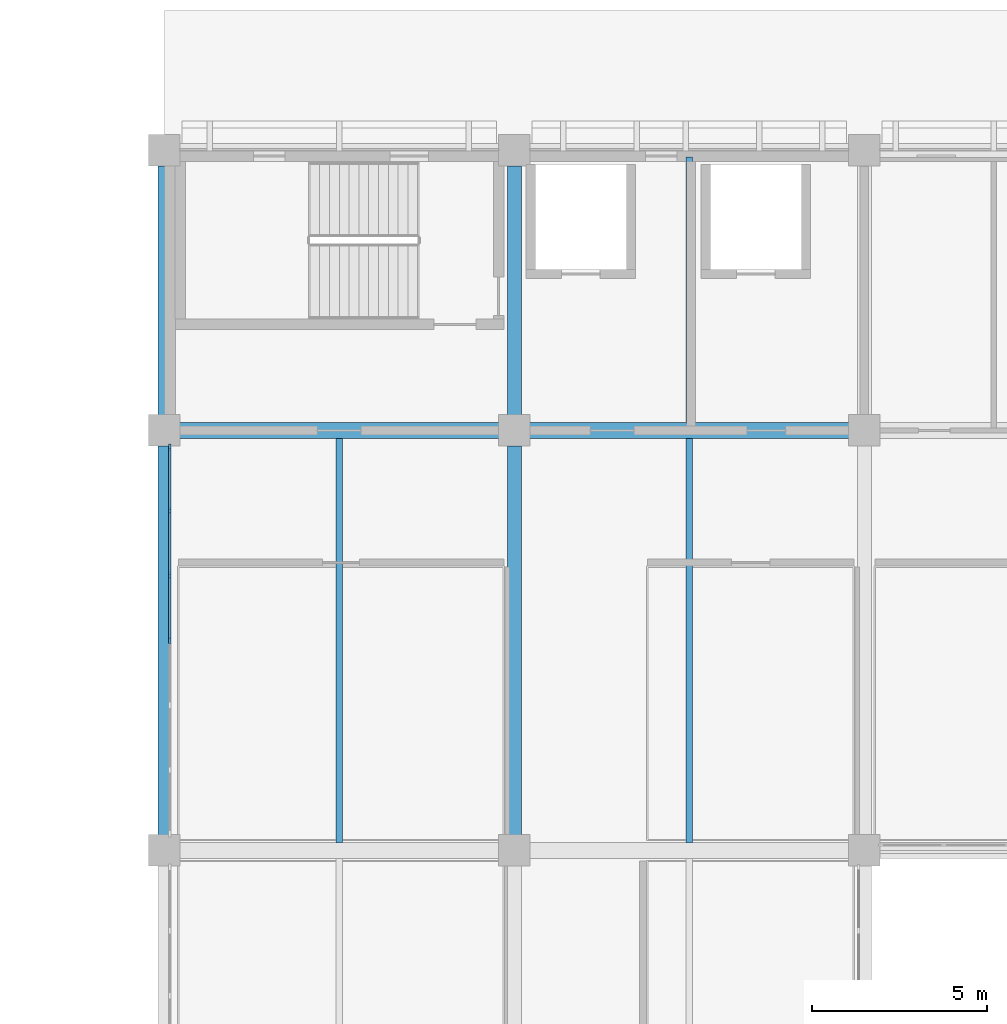
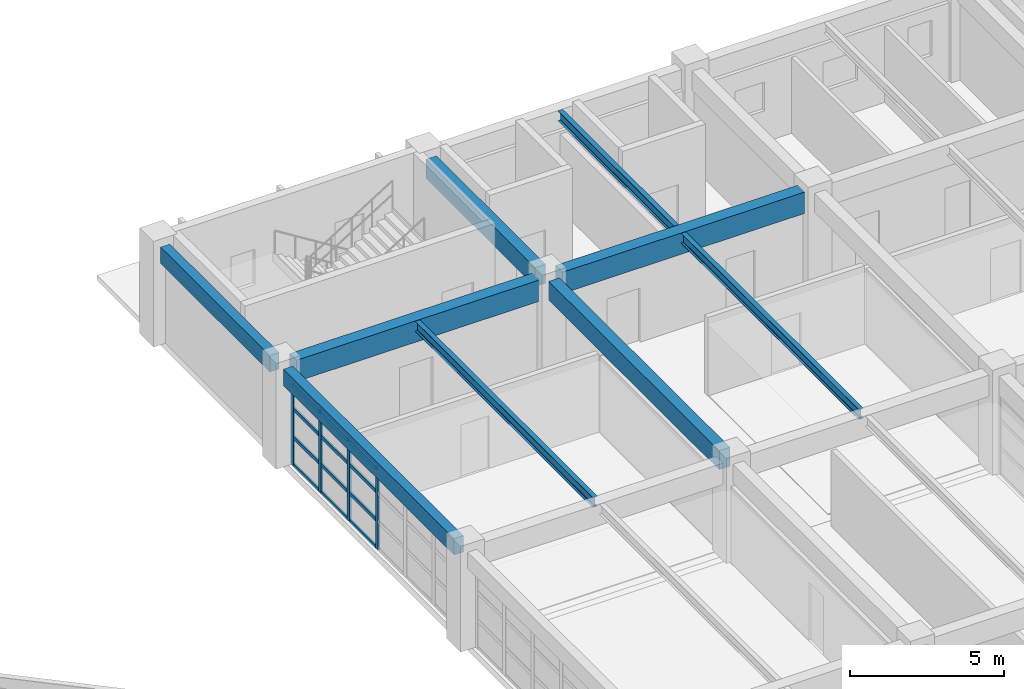
# One storey, part 49 of 100: 16 members, 9 beams, 1 element without a shape of its own.
"""IFC4 building model written with IfcOpenShell, lengths in metres."""

import ifcopenshell
import ifcopenshell.guid

model = None  # the IFC model being written
_history = None  # IfcOwnerHistory: only IFC2X3 demands one
_inside = {}  # id of a spatial element -> (the spatial element, [elements in it])
_under = {}  # id of a project, library or spatial element -> (it, [spatial elements below it])
_declared = {}  # id of a project -> (the project, [libraries it declares])
_typed = {}  # id of a type object -> (the type object, [elements of that type])
_made_of = {}  # id of a material, layer set ... -> (it, [elements and type objects made of it])


def new_model(schema):
    """Start an empty IFC model of exactly this schema.

    Asked for "IFC4X3", IfcOpenShell would pick the latest addendum, in which some entities
    have other attributes; the version numbers below select the first issue.
    IFC2X3 requires an IfcOwnerHistory on every rooted entity: one is made here for all.
    """
    global model, _history
    if schema == "IFC4X3":
        model = ifcopenshell.file(schema_version=(4, 3, 0, 0))
    else:
        model = ifcopenshell.file(schema=schema)
    _inside.clear()
    _under.clear()
    _declared.clear()
    _typed.clear()
    _made_of.clear()
    _history = None
    if model.schema == "IFC2X3":
        org = make("IfcOrganization", Name="unknown")
        user = make(
            "IfcPersonAndOrganization",
            ThePerson=make("IfcPerson", FamilyName="unknown"),
            TheOrganization=org,
        )
        app = make(
            "IfcApplication",
            ApplicationDeveloper=org,
            Version="unknown",
            ApplicationFullName="unknown",
            ApplicationIdentifier="unknown",
        )
        _history = make(
            "IfcOwnerHistory",
            OwningUser=user,
            OwningApplication=app,
            ChangeAction="ADDED",
            CreationDate=0,
        )
    return model


def make(cls, **values):
    """One entity of the class cls with the attributes given. An attribute that is None is left unset."""
    return model.create_entity(
        cls, **{name: value for name, value in values.items() if value is not None}
    )


def rooted(cls, **values):
    """An entity with a GlobalId (a new one), such as an element, a storey or a relation."""
    return make(cls, GlobalId=ifcopenshell.guid.new(), OwnerHistory=_history, **values)


def si_unit(unit_type, name, prefix=None):
    """IfcSIUnit, for example si_unit("LENGTHUNIT", "METRE", prefix="MILLI")."""
    return make("IfcSIUnit", UnitType=unit_type, Prefix=prefix, Name=name)


def assignment(units):
    """IfcUnitAssignment: the units of a project."""
    return None if units is None else make("IfcUnitAssignment", Units=units)


def point(xyz):
    """IfcCartesianPoint."""
    return None if xyz is None else make("IfcCartesianPoint", Coordinates=xyz)


def direction(xyz):
    """IfcDirection."""
    return None if xyz is None else make("IfcDirection", DirectionRatios=xyz)


def frame(location, z_axis=None, x_axis=None):
    """IfcAxis2Placement3D, a coordinate frame: its origin and axes. An axis left out is left unset."""
    return make(
        "IfcAxis2Placement3D",
        Location=point(location),
        Axis=direction(z_axis),
        RefDirection=direction(x_axis),
    )


def frame_2d(location, x_axis=None):
    """IfcAxis2Placement2D, a coordinate frame in the plane: its origin and x axis."""
    return make(
        "IfcAxis2Placement2D", Location=point(location), RefDirection=direction(x_axis)
    )


def origin():
    """The frame at (0, 0, 0) with its axes left unset."""
    return frame((0.0, 0.0, 0.0))


def origin_2d():
    """The frame at (0, 0) in the plane with its x axis left unset."""
    return frame_2d((0.0, 0.0))


def place(relative_to, where):
    """IfcLocalPlacement: puts the frame where relative to a parent placement (None: the world)."""
    return make(
        "IfcLocalPlacement", PlacementRelTo=relative_to, RelativePlacement=where
    )


def context(
    kind, dimensions, precision=None, world=None, true_north=None, identifier=None
):
    """IfcGeometricRepresentationContext, for example the 3D "Model" context."""
    return make(
        "IfcGeometricRepresentationContext",
        ContextIdentifier=identifier,
        ContextType=kind,
        CoordinateSpaceDimension=dimensions,
        Precision=precision,
        WorldCoordinateSystem=world,
        TrueNorth=true_north,
    )


def subcontext(parent, identifier, kind, view, scale=None):
    """IfcGeometricRepresentationSubContext, for example "Body" below "Model"."""
    return make(
        "IfcGeometricRepresentationSubContext",
        ContextIdentifier=identifier,
        ContextType=kind,
        ParentContext=parent,
        TargetScale=scale,
        TargetView=view,
    )


def project(units=None, contexts=None):
    """IfcProject with its units and contexts."""
    return rooted(
        "IfcProject",
        Name="project",
        RepresentationContexts=contexts,
        UnitsInContext=assignment(units),
    )


def spatial(cls, under=None, at=None, **own):
    """A site, building, storey or space (cls), placed at a placement, below another one or the project."""
    s = rooted(cls, ObjectPlacement=at, **own)
    if under is not None:
        _under.setdefault(under.id(), (under, []))[1].append(s)
    return s


def profile(cls, at=None, kind="AREA", **sizes):
    """A parametric profile (cls). Its sizes go by their IFC names, for example OverallWidth=200.0."""
    return make(cls, ProfileType=kind, Position=at, **sizes)


def rectangle(**sizes):
    """IfcRectangleProfileDef."""
    return profile("IfcRectangleProfileDef", **sizes)


def i_section(**sizes):
    """IfcIShapeProfileDef."""
    return profile("IfcIShapeProfileDef", **sizes)


def extrude(swept, where, along, depth):
    """IfcExtrudedAreaSolid: the profile swept, set in the frame where, extruded along a direction by depth."""
    return make(
        "IfcExtrudedAreaSolid",
        SweptArea=swept,
        Position=where,
        ExtrudedDirection=direction(along),
        Depth=depth,
    )


def shape(context_of_items, identifier, shape_type, items):
    """IfcShapeRepresentation: the items that make up one representation, for example the "Body"."""
    return make(
        "IfcShapeRepresentation",
        ContextOfItems=context_of_items,
        RepresentationIdentifier=identifier,
        RepresentationType=shape_type,
        Items=items,
    )


def material(Name=None, Category=None):
    """IfcMaterial."""
    return make("IfcMaterial", Name=Name, Category=Category)


def layer(
    of_material, thickness, ventilated=None, Name=None, Category=None, Priority=None
):
    """IfcMaterialLayer: one layer of a wall or slab, of a material (None: an air gap)."""
    return make(
        "IfcMaterialLayer",
        Material=of_material,
        LayerThickness=thickness,
        IsVentilated=ventilated,
        Name=Name,
        Category=Category,
        Priority=Priority,
    )


def layer_set(layers, Name=None):
    """IfcMaterialLayerSet."""
    return make("IfcMaterialLayerSet", MaterialLayers=layers, LayerSetName=Name)


def material_profile(
    of_material, cross_section, Name=None, Category=None, Priority=None
):
    """IfcMaterialProfile: a cross section and its material."""
    return make(
        "IfcMaterialProfile",
        Name=Name,
        Material=of_material,
        Profile=cross_section,
        Priority=Priority,
        Category=Category,
    )


def profile_set(profiles, Name=None, composite=None):
    """IfcMaterialProfileSet."""
    return make(
        "IfcMaterialProfileSet",
        Name=Name,
        MaterialProfiles=profiles,
        CompositeProfile=composite,
    )


def made_of(thing, what):
    """Note that an element or type object is made of a material, layer set ...; save() writes the relation."""
    if what is not None:
        _made_of.setdefault(what.id(), (what, []))[1].append(thing)
    return thing


def type_object(cls, material=None, **own):
    """A type object (cls), such as IfcWallType, which elements share."""
    return made_of(rooted(cls, **own), material)


def element(
    cls,
    number,
    at=None,
    inside=None,
    cuts=None,
    type_object=None,
    material=None,
    context=None,
    identifier="Body",
    shape_type=None,
    held_by="IfcProductDefinitionShape",
    body=None,
    shapes=None,
    **own,
):
    """One element of the class cls, such as IfcWall. Its Tag is "e" and its number.

    at: its placement. inside: the storey or other place that contains it. cuts: it is an
    opening in that element (IfcRelVoidsElement). A single representation is given by context,
    identifier, shape_type and body (its items); several are given by shapes. held_by: the class
    of the entity that holds the representations. save() writes the other relations.
    """
    e = rooted(cls, Tag="e%d" % number, ObjectPlacement=at, **own)
    if body is not None:
        shapes = [shape(context, identifier, shape_type, body)]
    if shapes is not None:
        e.Representation = make(held_by, Representations=shapes)
    if inside is not None:
        _inside.setdefault(inside.id(), (inside, []))[1].append(e)
    if cuts is not None:
        rooted(
            "IfcRelVoidsElement", RelatingBuildingElement=cuts, RelatedOpeningElement=e
        )
    if type_object is not None:
        _typed.setdefault(type_object.id(), (type_object, []))[1].append(e)
    return made_of(e, material)


def aggregate(whole, parts):
    """IfcRelAggregates: a whole, such as a stair, and the parts it consists of."""
    return rooted("IfcRelAggregates", RelatingObject=whole, RelatedObjects=parts)


def save(model, path):
    """Write the relations noted so far, then the file.

    IfcRelAggregates (storeys below a building ...), IfcRelContainedInSpatialStructure (elements
    in a storey), IfcRelDefinesByType, IfcRelAssociatesMaterial and IfcRelDeclares: one each for
    every whole, place, type object, material and project.
    """
    for whole, parts in _under.values():
        aggregate(whole, parts)
    for where, things in _inside.values():
        rooted(
            "IfcRelContainedInSpatialStructure",
            RelatedElements=things,
            RelatingStructure=where,
        )
    for kind, things in _typed.values():
        rooted("IfcRelDefinesByType", RelatedObjects=things, RelatingType=kind)
    for what, things in _made_of.values():
        rooted("IfcRelAssociatesMaterial", RelatedObjects=things, RelatingMaterial=what)
    for by, libraries in _declared.values():
        rooted("IfcRelDeclares", RelatingContext=by, RelatedDefinitions=libraries)
    model.write(path)


model = new_model("IFC4")

# Units and contexts
model_context = context("Model", 3, precision=1e-05, world=origin(), true_north=direction((0.0, 1.0)))
body_context = subcontext(model_context, "Body", "Model", "MODEL_VIEW")
ifc_project = project(units=[si_unit("LENGTHUNIT", "METRE"), si_unit("AREAUNIT", "SQUARE_METRE"), si_unit("VOLUMEUNIT", "CUBIC_METRE"), si_unit("PLANEANGLEUNIT", "RADIAN"), si_unit("MASSUNIT", "GRAM", prefix="KILO")], contexts=[model_context])

# Site, building, storey
site_placement = place(None, origin())
site = spatial("IfcSite", under=ifc_project, at=site_placement, CompositionType="ELEMENT")
building_placement = place(site_placement, origin())
building = spatial("IfcBuilding", under=site, at=building_placement, Name="Kivolera Central Railway Station", CompositionType="ELEMENT")
storey_placement = place(building_placement, frame((0.0, 0.0, 5.39990234375)))
storey = spatial("IfcBuildingStorey", under=building, at=storey_placement, Name="L01", CompositionType="ELEMENT", Elevation=5.39990234375)

# Beams
ifc_material_1 = material(Name="Steel S355", Category="steel")
ifc_material_profile_1 = material_profile(ifc_material_1, i_section(OverallWidth=0.179931640625, OverallDepth=0.39990234375, WebThickness=0.008544921875, FlangeThickness=0.013427734375, FilletRadius=0.02099609375, at=origin_2d()), Name="IPE 400")
ifc_profile_set_1 = profile_set([ifc_material_profile_1], Name="Steel S355")
beam_type_1 = type_object("IfcBeamType", Name="BM-JST-IPE400", PredefinedType="JOIST", material=ifc_profile_set_1)
for number, where, z_axis, x_axis, name in (
    (1, (123.0, 114.217041015625, 3.668212890625), (0.0, 1.0, 0.0), (-1.0, 0.0, 0.0), "L01 Floor Joist 12-13/K-L"),
    (2, (133.0, 114.217041015625, 3.668212890625), (0.0, 1.0, 0.0), (-1.0, 0.0, 0.0), "L01 Floor Joist 13-14/K-L"),
):
    element("IfcBeam", number, at=place(storey_placement, frame(where, z_axis=z_axis, x_axis=x_axis)), inside=storey, type_object=beam_type_1, Name=name, PredefinedType="JOIST", context=body_context, shape_type="SweptSolid", body=[
        extrude(i_section(OverallWidth=0.179931640625, OverallDepth=0.39990234375, WebThickness=0.008544921875, FlangeThickness=0.013427734375, FilletRadius=0.02099609375, at=origin_2d()), origin(), (0.0, 0.0, 1.0), 11.56591796875),
    ])
beam_1_placement = place(storey_placement, frame((133.0, 126.217041015625, 3.668212890625), z_axis=(0.0, 1.0, 0.0), x_axis=(-1.0, 0.0, 0.0)))
element("IfcBeam", 3, at=beam_1_placement, inside=storey, type_object=beam_type_1, Name="L01 Floor Joist 13-14/L-M", PredefinedType="JOIST", context=body_context, shape_type="SweptSolid", body=[
    extrude(i_section(OverallWidth=0.179931640625, OverallDepth=0.39990234375, WebThickness=0.008544921875, FlangeThickness=0.013427734375, FilletRadius=0.02099609375, at=origin_2d()), origin(), (0.0, 0.0, 1.0), 7.591064453125),
])
ifc_material_2 = material(Name="Concrete C40/50", Category="concrete")
ifc_material_profile_2 = material_profile(ifc_material_2, rectangle(XDim=0.39990234375, YDim=0.75, at=origin_2d()), Name="RC 400x750")
ifc_profile_set_2 = profile_set([ifc_material_profile_2], Name="Concrete C40/50")
beam_type_2 = type_object("IfcBeamType", Name="BM-RC-400x750", PredefinedType="BEAM", material=ifc_profile_set_2)
beam_2_placement = place(storey_placement, frame((128.0, 114.44189453125, 3.505126953125), z_axis=(0.0, 1.0, 0.0), x_axis=(-1.0, 0.0, 0.0)))
element("IfcBeam", 4, at=beam_2_placement, inside=storey, type_object=beam_type_2, Name="L01 Wing Y-Beam 13:K-L", PredefinedType="BEAM", context=body_context, shape_type="SweptSolid", body=[
    extrude(rectangle(XDim=0.39990234375, YDim=0.75, at=origin_2d()), origin(), (0.0, 0.0, 1.0), 11.1162109375),
])
beam_3_placement = place(storey_placement, frame((128.0, 126.44189453125, 3.505126953125), z_axis=(0.0, 1.0, 0.0), x_axis=(-1.0, 0.0, 0.0)))
element("IfcBeam", 5, at=beam_3_placement, inside=storey, type_object=beam_type_2, Name="L01 Wing Y-Beam 13:L-M", PredefinedType="BEAM", context=body_context, shape_type="SweptSolid", body=[
    extrude(rectangle(XDim=0.39990234375, YDim=0.75, at=origin_2d()), origin(), (0.0, 0.0, 1.0), 7.1162109375),
])
ifc_material_profile_3 = material_profile(ifc_material_2, rectangle(XDim=0.449951171875, YDim=0.85009765625, at=origin_2d()), Name="RC 450x850")
ifc_profile_set_3 = profile_set([ifc_material_profile_3], Name="Concrete C40/50")
beam_type_3 = type_object("IfcBeamType", Name="BM-RC-450x850", PredefinedType="BEAM", material=ifc_profile_set_3)
for number, where, z_axis, x_axis, name in (
    (6, (118.44189453125, 126.0, 3.455078125), (1.0, 0.0, 0.0), (0.0, 1.0, 0.0), "L01 Wing X-Beam L:12-13"),
    (7, (128.44189453125, 126.0, 3.455078125), (1.0, 0.0, 0.0), (0.0, 1.0, 0.0), "L01 Wing X-Beam L:13-14"),
):
    element("IfcBeam", number, at=place(storey_placement, frame(where, z_axis=z_axis, x_axis=x_axis)), inside=storey, type_object=beam_type_3, Name=name, PredefinedType="BEAM", context=body_context, shape_type="SweptSolid", body=[
        extrude(rectangle(XDim=0.449951171875, YDim=0.85009765625, at=origin_2d()), origin(), (0.0, 0.0, 1.0), 9.1162109375),
    ])
ifc_material_profile_4 = material_profile(ifc_material_2, rectangle(XDim=0.35009765625, YDim=0.64990234375, at=origin_2d()), Name="RC 350x650")
ifc_profile_set_4 = profile_set([ifc_material_profile_4], Name="Concrete C40/50")
beam_type_4 = type_object("IfcBeamType", Name="BM-SPN-RC650", PredefinedType="SPANDREL", material=ifc_profile_set_4)
beam_4_placement = place(storey_placement, frame((118.0, 114.44189453125, 3.55517578125), z_axis=(0.0, 1.0, 0.0), x_axis=(-1.0, 0.0, 0.0)))
element("IfcBeam", 8, at=beam_4_placement, inside=storey, type_object=beam_type_4, Name="L01 Wing Y-Beam 12:K-L", PredefinedType="SPANDREL", context=body_context, shape_type="SweptSolid", body=[
    extrude(rectangle(XDim=0.35009765625, YDim=0.64990234375, at=origin_2d()), origin(), (0.0, 0.0, 1.0), 11.1162109375),
])
beam_5_placement = place(storey_placement, frame((118.0, 126.44189453125, 3.55517578125), z_axis=(0.0, 1.0, 0.0), x_axis=(-1.0, 0.0, 0.0)))
element("IfcBeam", 9, at=beam_5_placement, inside=storey, type_object=beam_type_4, Name="L01 Wing Y-Beam 12:L-M", PredefinedType="SPANDREL", context=body_context, shape_type="SweptSolid", body=[
    extrude(rectangle(XDim=0.35009765625, YDim=0.64990234375, at=origin_2d()), origin(), (0.0, 0.0, 1.0), 7.1162109375),
])

# Curtain wall, members
ifc_material_3 = material(Name="Anodised aluminium", Category="aluminium")
ifc_layer = layer(ifc_material_3, 0.179931640625, Name="Anodised aluminium")
ifc_layer_set = layer_set([ifc_layer], Name="Anodised aluminium")
curtain_wall_type = type_object("IfcCurtainWallType", Name="CW-SYS-26", PredefinedType="NOTDEFINED", material=ifc_layer_set)
curtain_wall_placement = place(storey_placement, origin())
curtain_wall = element("IfcCurtainWall", 10, at=curtain_wall_placement, inside=storey, type_object=curtain_wall_type, Name="L01 Curtain Wall CW-L01-WEST-K", PredefinedType="NOTDEFINED")
ifc_material_profile_5 = material_profile(ifc_material_3, rectangle(XDim=0.070068359375, YDim=0.179931640625, at=origin_2d()), Name="ALU MULL 70x180")
ifc_profile_set_5 = profile_set([ifc_material_profile_5], Name="Anodised aluminium")
member_type_1 = type_object("IfcMemberType", Name="CWM-MUL-1", PredefinedType="MULLION", material=ifc_profile_set_5)
member_1_placement = place(storey_placement, frame((118.159912109375, 120.0, -0.0048828125), z_axis=(0.0, 0.0, 1.0), x_axis=(-1.0, 0.0, 0.0)))
member_1 = element("IfcMember", 11, at=member_1_placement, type_object=member_type_1, Name="CW-26 mullion 4", PredefinedType="MULLION", context=body_context, shape_type="SweptSolid", body=[
    extrude(rectangle(XDim=0.070068359375, YDim=0.179931640625, at=origin_2d()), origin(), (0.0, 0.0, 1.0), 3.222900390625),
])
member_2_placement = place(storey_placement, frame((118.159912109375, 121.8515625, -0.0048828125), z_axis=(0.0, 0.0, 1.0), x_axis=(-1.0, 0.0, 0.0)))
member_2 = element("IfcMember", 12, at=member_2_placement, type_object=member_type_1, Name="CW-26 mullion 5", PredefinedType="MULLION", context=body_context, shape_type="SweptSolid", body=[
    extrude(rectangle(XDim=0.070068359375, YDim=0.179931640625, at=origin_2d()), origin(), (0.0, 0.0, 1.0), 3.222900390625),
])
member_3_placement = place(storey_placement, frame((118.159912109375, 123.703369140625, -0.0048828125), z_axis=(0.0, 0.0, 1.0), x_axis=(-1.0, 0.0, 0.0)))
member_3 = element("IfcMember", 13, at=member_3_placement, type_object=member_type_1, Name="CW-26 mullion 6", PredefinedType="MULLION", context=body_context, shape_type="SweptSolid", body=[
    extrude(rectangle(XDim=0.070068359375, YDim=0.179931640625, at=origin_2d()), origin(), (0.0, 0.0, 1.0), 3.222900390625),
])
member_4_placement = place(storey_placement, frame((118.159912109375, 125.52001953125, -0.0048828125), z_axis=(0.0, 0.0, 1.0), x_axis=(-1.0, 0.0, 0.0)))
member_4 = element("IfcMember", 14, at=member_4_placement, type_object=member_type_1, Name="CW-26 mullion 7", PredefinedType="MULLION", context=body_context, shape_type="SweptSolid", body=[
    extrude(rectangle(XDim=0.070068359375, YDim=0.179931640625, at=origin_2d()), origin(), (0.0, 0.0, 1.0), 3.222900390625),
])
ifc_material_profile_6 = material_profile(ifc_material_3, rectangle(XDim=0.070068359375, YDim=0.139892578125, at=origin_2d()), Name="ALU TRAN 70x140")
ifc_profile_set_6 = profile_set([ifc_material_profile_6], Name="Anodised aluminium")
member_type_2 = type_object("IfcMemberType", Name="CWM-TRN-1", PredefinedType="USERDEFINED", material=ifc_profile_set_6)
member_5_placement = place(storey_placement, frame((118.159912109375, 120.034912109375, 0.03515625), z_axis=(0.0, 1.0, 0.0), x_axis=(-1.0, 0.0, 0.0)))
member_5 = element("IfcMember", 15, at=member_5_placement, type_object=member_type_2, Name="CW-26 transom 4.1", ObjectType="TRANSOM", PredefinedType="USERDEFINED", context=body_context, shape_type="SweptSolid", body=[
    extrude(rectangle(XDim=0.070068359375, YDim=0.139892578125, at=origin_2d()), origin(), (0.0, 0.0, 1.0), 1.78173828125),
])
member_6_placement = place(storey_placement, frame((118.159912109375, 120.034912109375, 1.12646484375), z_axis=(0.0, 1.0, 0.0), x_axis=(-1.0, 0.0, 0.0)))
member_6 = element("IfcMember", 16, at=member_6_placement, type_object=member_type_2, Name="CW-26 transom 4.2", ObjectType="TRANSOM", PredefinedType="USERDEFINED", context=body_context, shape_type="SweptSolid", body=[
    extrude(rectangle(XDim=0.070068359375, YDim=0.139892578125, at=origin_2d()), origin(), (0.0, 0.0, 1.0), 1.78173828125),
])
member_7_placement = place(storey_placement, frame((118.159912109375, 120.034912109375, 2.252685546875), z_axis=(0.0, 1.0, 0.0), x_axis=(-1.0, 0.0, 0.0)))
member_7 = element("IfcMember", 17, at=member_7_placement, type_object=member_type_2, Name="CW-26 transom 4.3", ObjectType="TRANSOM", PredefinedType="USERDEFINED", context=body_context, shape_type="SweptSolid", body=[
    extrude(rectangle(XDim=0.070068359375, YDim=0.139892578125, at=origin_2d()), origin(), (0.0, 0.0, 1.0), 1.78173828125),
])
member_8_placement = place(storey_placement, frame((118.159912109375, 120.034912109375, 3.18310546875), z_axis=(0.0, 1.0, 0.0), x_axis=(-1.0, 0.0, 0.0)))
member_8 = element("IfcMember", 18, at=member_8_placement, type_object=member_type_2, Name="CW-26 transom 4.4", ObjectType="TRANSOM", PredefinedType="USERDEFINED", context=body_context, shape_type="SweptSolid", body=[
    extrude(rectangle(XDim=0.070068359375, YDim=0.139892578125, at=origin_2d()), origin(), (0.0, 0.0, 1.0), 1.78173828125),
])
member_9_placement = place(storey_placement, frame((118.159912109375, 121.88671875, 0.03515625), z_axis=(0.0, 1.0, 0.0), x_axis=(-1.0, 0.0, 0.0)))
member_9 = element("IfcMember", 19, at=member_9_placement, type_object=member_type_2, Name="CW-26 transom 5.1", ObjectType="TRANSOM", PredefinedType="USERDEFINED", context=body_context, shape_type="SweptSolid", body=[
    extrude(rectangle(XDim=0.070068359375, YDim=0.139892578125, at=origin_2d()), origin(), (0.0, 0.0, 1.0), 1.781494140625),
])
member_10_placement = place(storey_placement, frame((118.159912109375, 121.88671875, 1.12646484375), z_axis=(0.0, 1.0, 0.0), x_axis=(-1.0, 0.0, 0.0)))
member_10 = element("IfcMember", 20, at=member_10_placement, type_object=member_type_2, Name="CW-26 transom 5.2", ObjectType="TRANSOM", PredefinedType="USERDEFINED", context=body_context, shape_type="SweptSolid", body=[
    extrude(rectangle(XDim=0.070068359375, YDim=0.139892578125, at=origin_2d()), origin(), (0.0, 0.0, 1.0), 1.781494140625),
])
member_11_placement = place(storey_placement, frame((118.159912109375, 121.88671875, 2.252685546875), z_axis=(0.0, 1.0, 0.0), x_axis=(-1.0, 0.0, 0.0)))
member_11 = element("IfcMember", 21, at=member_11_placement, type_object=member_type_2, Name="CW-26 transom 5.3", ObjectType="TRANSOM", PredefinedType="USERDEFINED", context=body_context, shape_type="SweptSolid", body=[
    extrude(rectangle(XDim=0.070068359375, YDim=0.139892578125, at=origin_2d()), origin(), (0.0, 0.0, 1.0), 1.781494140625),
])
member_12_placement = place(storey_placement, frame((118.159912109375, 121.88671875, 3.18310546875), z_axis=(0.0, 1.0, 0.0), x_axis=(-1.0, 0.0, 0.0)))
member_12 = element("IfcMember", 22, at=member_12_placement, type_object=member_type_2, Name="CW-26 transom 5.4", ObjectType="TRANSOM", PredefinedType="USERDEFINED", context=body_context, shape_type="SweptSolid", body=[
    extrude(rectangle(XDim=0.070068359375, YDim=0.139892578125, at=origin_2d()), origin(), (0.0, 0.0, 1.0), 1.781494140625),
])
member_13_placement = place(storey_placement, frame((118.159912109375, 123.73828125, 0.03515625), z_axis=(0.0, 1.0, 0.0), x_axis=(-1.0, 0.0, 0.0)))
member_13 = element("IfcMember", 23, at=member_13_placement, type_object=member_type_2, Name="CW-26 transom 6.1", ObjectType="TRANSOM", PredefinedType="USERDEFINED", context=body_context, shape_type="SweptSolid", body=[
    extrude(rectangle(XDim=0.070068359375, YDim=0.139892578125, at=origin_2d()), origin(), (0.0, 0.0, 1.0), 1.746826171875),
])
member_14_placement = place(storey_placement, frame((118.159912109375, 123.73828125, 1.12646484375), z_axis=(0.0, 1.0, 0.0), x_axis=(-1.0, 0.0, 0.0)))
member_14 = element("IfcMember", 24, at=member_14_placement, type_object=member_type_2, Name="CW-26 transom 6.2", ObjectType="TRANSOM", PredefinedType="USERDEFINED", context=body_context, shape_type="SweptSolid", body=[
    extrude(rectangle(XDim=0.070068359375, YDim=0.139892578125, at=origin_2d()), origin(), (0.0, 0.0, 1.0), 1.746826171875),
])
member_15_placement = place(storey_placement, frame((118.159912109375, 123.73828125, 2.252685546875), z_axis=(0.0, 1.0, 0.0), x_axis=(-1.0, 0.0, 0.0)))
member_15 = element("IfcMember", 25, at=member_15_placement, type_object=member_type_2, Name="CW-26 transom 6.3", ObjectType="TRANSOM", PredefinedType="USERDEFINED", context=body_context, shape_type="SweptSolid", body=[
    extrude(rectangle(XDim=0.070068359375, YDim=0.139892578125, at=origin_2d()), origin(), (0.0, 0.0, 1.0), 1.746826171875),
])
member_16_placement = place(storey_placement, frame((118.159912109375, 123.73828125, 3.18310546875), z_axis=(0.0, 1.0, 0.0), x_axis=(-1.0, 0.0, 0.0)))
member_16 = element("IfcMember", 26, at=member_16_placement, type_object=member_type_2, Name="CW-26 transom 6.4", ObjectType="TRANSOM", PredefinedType="USERDEFINED", context=body_context, shape_type="SweptSolid", body=[
    extrude(rectangle(XDim=0.070068359375, YDim=0.139892578125, at=origin_2d()), origin(), (0.0, 0.0, 1.0), 1.746826171875),
])
aggregate(curtain_wall, [member_1, member_2, member_3, member_4, member_5, member_6, member_7, member_8, member_9, member_10, member_11, member_12, member_13, member_14, member_15, member_16])

save(model, "model.ifc")
